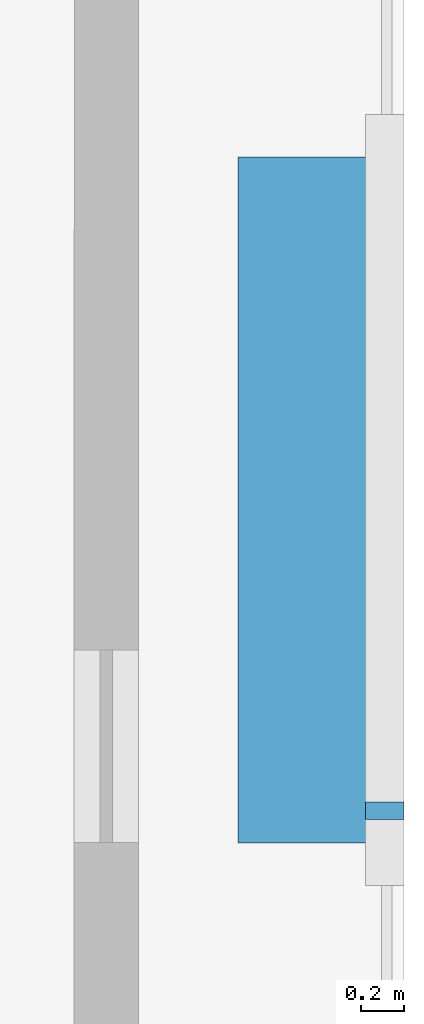
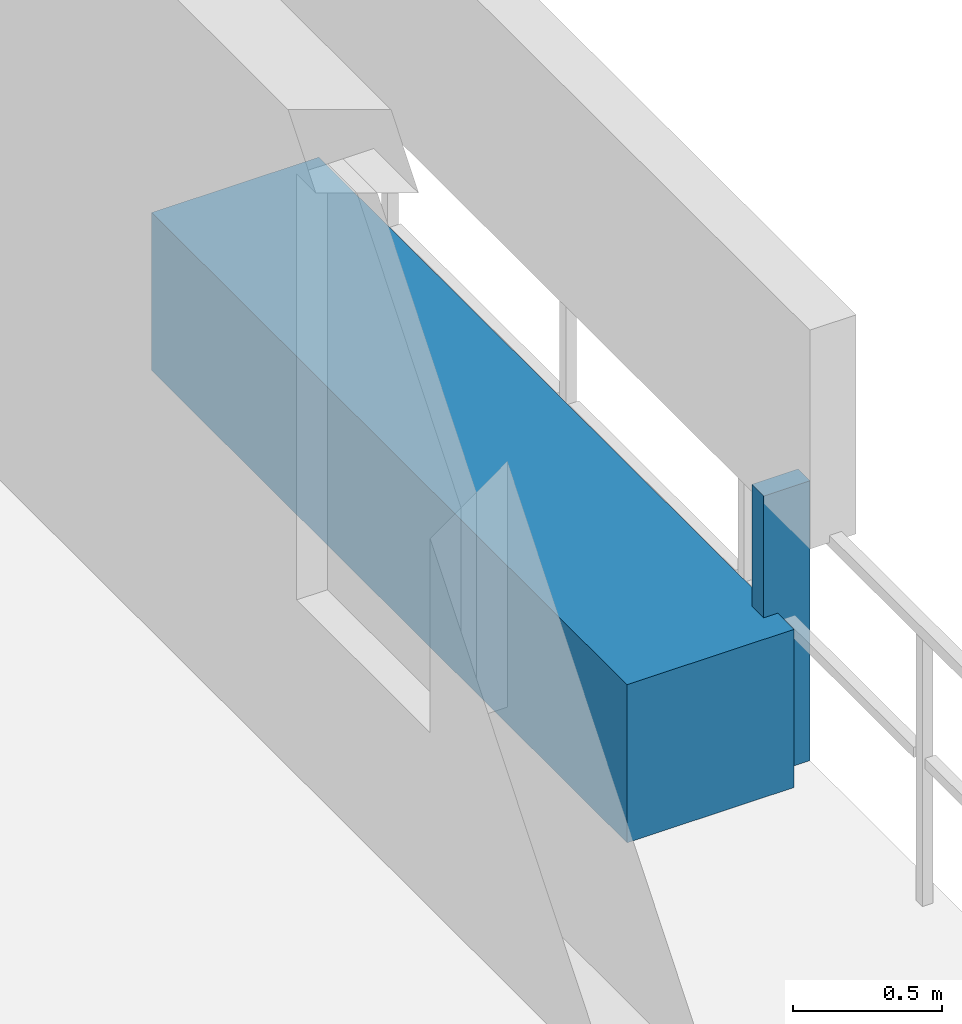
# One storey, part 28 of 32: 2 discrete accessories.
"""IFC4 building model written with IfcOpenShell, lengths in metres."""

from ifc_helpers import new_model, si_unit, direction, frame, origin, origin_2d, place, context, subcontext, project, spatial, rectangle, extrude, material, type_object, element, save


model = new_model("IFC4")

# Units and contexts
model_context = context("Model", 3, precision=1e-05, world=origin(), true_north=direction((0.0, 1.0)))
body_context = subcontext(model_context, "Body", "Model", "MODEL_VIEW")
ifc_project = project(units=[si_unit("LENGTHUNIT", "METRE"), si_unit("AREAUNIT", "SQUARE_METRE"), si_unit("VOLUMEUNIT", "CUBIC_METRE"), si_unit("PLANEANGLEUNIT", "RADIAN"), si_unit("MASSUNIT", "GRAM", prefix="KILO")], contexts=[model_context])

# Site, building, storey
site_placement = place(None, origin())
site = spatial("IfcSite", under=ifc_project, at=site_placement, CompositionType="ELEMENT")
building_placement = place(site_placement, origin())
building = spatial("IfcBuilding", under=site, at=building_placement, Name="Thornwick Lancets Civic Towers", CompositionType="ELEMENT")
storey_placement = place(building_placement, frame((0.0, 0.0, 243.89990234375)))
storey = spatial("IfcBuildingStorey", under=building, at=storey_placement, Name="L65", CompositionType="ELEMENT", Elevation=243.89990234375)

# Discrete accessories
ifc_material_1 = material(Name="Planted terracotta greenery planter", Category="masonry")
discrete_accessory_type_1 = type_object("IfcDiscreteAccessoryType", Name="ACC_PLANTER_BOX", PredefinedType="USERDEFINED", material=ifc_material_1)
discrete_accessory_1_placement = place(storey_placement, frame((113.199951171875, 27.0, 0.000244140625), z_axis=(0.0, 0.0, 1.0), x_axis=(1.0, 0.0, 0.0)))
element("IfcDiscreteAccessory", 1, at=discrete_accessory_1_placement, inside=storey, type_object=discrete_accessory_type_1, Name="L65 Tower B Balcony Greenery Planter E", ObjectType="PLANTER", PredefinedType="USERDEFINED", context=body_context, shape_type="SweptSolid", body=[
    extrude(rectangle(XDim=0.64990234375, YDim=3.199951171875, at=origin_2d()), origin(), (0.0, 0.0, 1.0), 0.64990234375),
])
ifc_material_2 = material(Name="Stainless steel S355", Category="steel")
discrete_accessory_type_2 = type_object("IfcDiscreteAccessoryType", Name="ACC_SCREEN_BRACKET", PredefinedType="BRACKET", material=ifc_material_2)
discrete_accessory_2_placement = place(storey_placement, frame((113.56005859375, 25.550048828125, 0.000244140625), z_axis=(0.0, 0.0, 1.0), x_axis=(0.0, 1.0, 0.0)))
element("IfcDiscreteAccessory", 2, at=discrete_accessory_2_placement, inside=storey, type_object=discrete_accessory_type_2, Name="L65 Tower B Balcony Screen Stanchion Bracket E-1", PredefinedType="BRACKET", context=body_context, shape_type="SweptSolid", body=[
    extrude(rectangle(XDim=0.080078125, YDim=0.179931640625, at=origin_2d()), origin(), (0.0, 0.0, 1.0), 1.14990234375),
])

save(model, "model.ifc")
